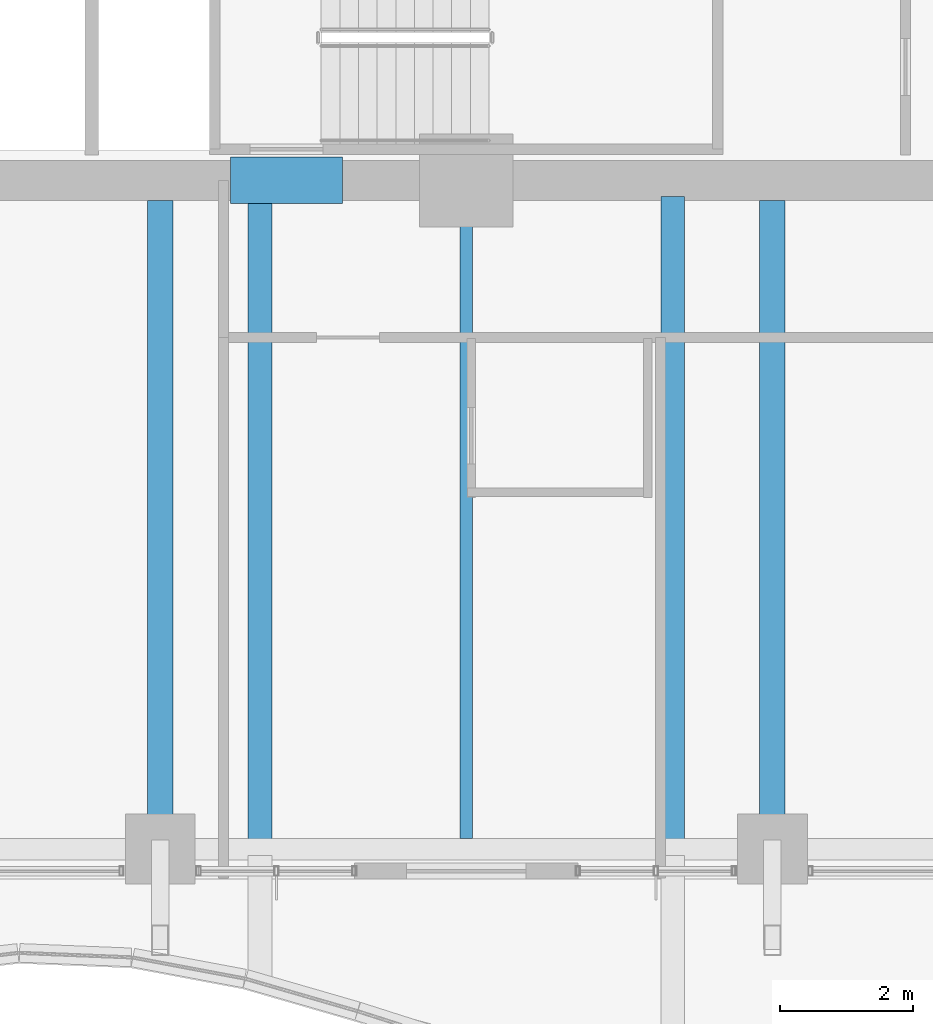
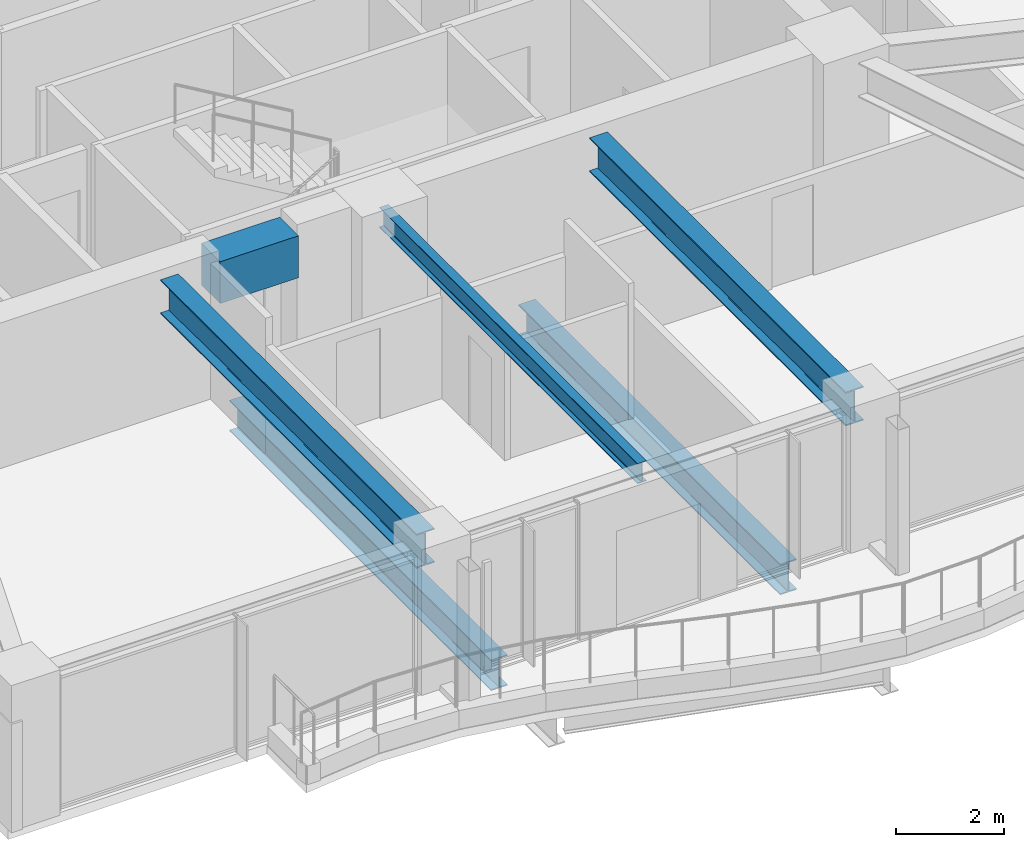
# One storey, part 7 of 38: 6 beams.
"""IFC4 building model written with IfcOpenShell, lengths in metres."""

from ifc_helpers import new_model, si_unit, direction, frame, origin, origin_2d, place, context, subcontext, project, spatial, rectangle, i_section, extrude, material, material_profile, profile_set, type_object, element, save


model = new_model("IFC4")

# Units and contexts
model_context = context("Model", 3, precision=1e-05, world=origin(), true_north=direction((0.0, 1.0)))
body_context = subcontext(model_context, "Body", "Model", "MODEL_VIEW")
ifc_project = project(units=[si_unit("LENGTHUNIT", "METRE"), si_unit("AREAUNIT", "SQUARE_METRE"), si_unit("VOLUMEUNIT", "CUBIC_METRE"), si_unit("PLANEANGLEUNIT", "RADIAN"), si_unit("MASSUNIT", "GRAM", prefix="KILO")], contexts=[model_context])

# Site, building, storey
site_placement = place(None, origin())
site = spatial("IfcSite", under=ifc_project, at=site_placement, CompositionType="ELEMENT")
building_placement = place(site_placement, origin())
building = spatial("IfcBuilding", under=site, at=building_placement, Name="Kolvaren Belvedere", CompositionType="ELEMENT")
storey_placement = place(building_placement, frame((0.0, 0.0, 78.800048828125)))
storey = spatial("IfcBuildingStorey", under=building, at=storey_placement, Name="L22", CompositionType="ELEMENT", Elevation=78.800048828125)

# Beams
ifc_material_1 = material(Name="Structural steel ASTM A992 Grade 50", Category="steel")
ifc_material_profile_1 = material_profile(ifc_material_1, i_section(OverallWidth=0.35498046875, OverallDepth=0.696044921875, WebThickness=0.015380859375, FlangeThickness=0.02490234375, FilletRadius=0.02197265625, at=origin_2d()), Name="W27X146")
ifc_profile_set_1 = profile_set([ifc_material_profile_1], Name="Structural steel ASTM A992 Grade 50")
beam_type_1 = type_object("IfcBeamType", Name="BM-GIRD-W27X146", PredefinedType="BEAM", material=ifc_profile_set_1)
for number, where, z_axis, x_axis, name in (
    (1, (-3.10009765625, -10.139892578125, -0.568115234375), (0.0, -1.0, 0.0), (1.0, 0.0, 0.0), "L22 Balcony Interior Back-Span Girder BAL-S-1"),
    (2, (3.10009765625, -10.139892578125, -0.568115234375), (0.0, -1.0, 0.0), (1.0, 0.0, 0.0), "L22 Balcony Interior Back-Span Girder BAL-S-2"),
):
    element("IfcBeam", number, at=place(storey_placement, frame(where, z_axis=z_axis, x_axis=x_axis)), inside=storey, type_object=beam_type_1, Name=name, PredefinedType="BEAM", context=body_context, shape_type="SweptSolid", body=[
        extrude(i_section(OverallWidth=0.35498046875, OverallDepth=0.696044921875, WebThickness=0.015380859375, FlangeThickness=0.02490234375, FilletRadius=0.02197265625, at=origin_2d()), origin(), (0.0, 0.0, 1.0), 9.715087890625),
    ])
ifc_material_2 = material(Name="Structural steel ASTM A992 Grade 50", Category="steel")
ifc_material_profile_2 = material_profile(ifc_material_2, i_section(OverallWidth=0.381103515625, OverallDepth=0.77294921875, WebThickness=0.0166015625, FlangeThickness=0.027099609375, FilletRadius=0.02392578125, at=origin_2d()), Name="W30X173")
ifc_profile_set_2 = profile_set([ifc_material_profile_2], Name="Structural steel ASTM A992 Grade 50")
beam_type_2 = type_object("IfcBeamType", Name="BM-GIRD-W30X173", PredefinedType="BEAM", material=ifc_profile_set_2)
for number, where, z_axis, x_axis, name in (
    (3, (4.60009765625, -10.199951171875, 2.693359375), (0.0, -1.0, 0.0), (1.0, 0.0, 0.0), "L22 South Radial Girder P"),
    (4, (-4.60009765625, -10.199951171875, 2.693359375), (0.0, -1.0, 0.0), (1.0, 0.0, 0.0), "L22 South Radial Girder M"),
):
    element("IfcBeam", number, at=place(storey_placement, frame(where, z_axis=z_axis, x_axis=x_axis)), inside=storey, type_object=beam_type_2, Name=name, PredefinedType="BEAM", context=body_context, shape_type="SweptSolid", body=[
        extrude(i_section(OverallWidth=0.381103515625, OverallDepth=0.77294921875, WebThickness=0.0166015625, FlangeThickness=0.027099609375, FilletRadius=0.02392578125, at=origin_2d()), origin(), (0.0, 0.0, 1.0), 9.513916015625),
    ])
ifc_material_3 = material(Name="Structural steel ASTM A992 Grade 50", Category="steel")
ifc_material_profile_3 = material_profile(ifc_material_3, i_section(OverallWidth=0.19091796875, OverallDepth=0.4599609375, WebThickness=0.010009765625, FlangeThickness=0.01611328125, FilletRadius=0.014892578125, at=origin_2d()), Name="W18X55")
ifc_profile_set_3 = profile_set([ifc_material_profile_3], Name="Structural steel ASTM A992 Grade 50")
beam_type_3 = type_object("IfcBeamType", Name="BM-JOIST-W18X55", PredefinedType="BEAM", material=ifc_profile_set_3)
beam_1_placement = place(storey_placement, frame((0.0, -10.199951171875, 2.849853515625), z_axis=(0.0, -1.0, 0.0), x_axis=(1.0, 0.0, 0.0)))
element("IfcBeam", 5, at=beam_1_placement, inside=storey, type_object=beam_type_3, Name="L22 South Centre Floor Beam", PredefinedType="BEAM", context=body_context, shape_type="SweptSolid", body=[
    extrude(i_section(OverallWidth=0.19091796875, OverallDepth=0.4599609375, WebThickness=0.010009765625, FlangeThickness=0.01611328125, FilletRadius=0.014892578125, at=origin_2d()), origin(), (0.0, 0.0, 1.0), 9.587646484375),
])
ifc_material_4 = material(Name="Concrete C60/75", Category="concrete")
ifc_material_profile_4 = material_profile(ifc_material_4, rectangle(XDim=0.699951171875, YDim=0.949951171875, at=origin_2d()), Name="RC 700X950")
ifc_profile_set_4 = profile_set([ifc_material_profile_4], Name="Concrete C60/75")
beam_type_4 = type_object("IfcBeamType", Name="BM-LINT-950", PredefinedType="LINTEL", material=ifc_profile_set_4)
beam_2_placement = place(storey_placement, frame((-3.5400390625, -9.89990234375, 2.60498046875), z_axis=(1.0, 0.0, 0.0), x_axis=(0.0, 1.0, 0.0)))
element("IfcBeam", 6, at=beam_2_placement, inside=storey, type_object=beam_type_4, Name="L22 South Core Coupling Lintel", PredefinedType="LINTEL", context=body_context, shape_type="SweptSolid", body=[
    extrude(rectangle(XDim=0.699951171875, YDim=0.949951171875, at=origin_2d()), origin(), (0.0, 0.0, 1.0), 1.679931640625),
])

save(model, "model.ifc")
